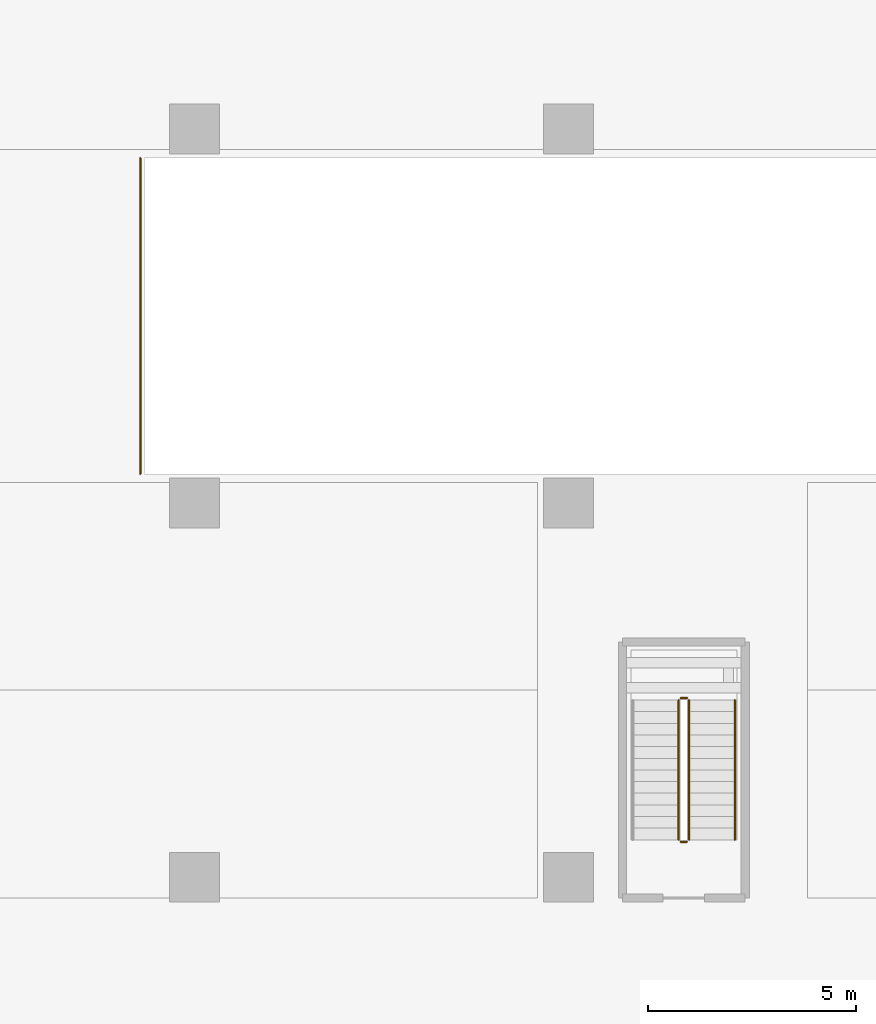
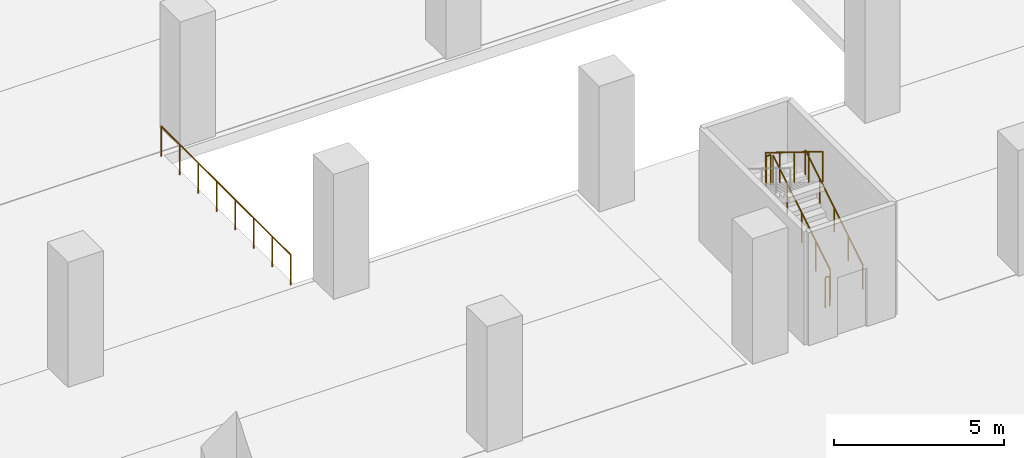
# One storey, part 28 of 34: 6 railings.
"""IFC4 building model written with IfcOpenShell, lengths in metres."""

from ifc_helpers import new_model, si_unit, direction, frame, origin, origin_2d, place, context, subcontext, project, spatial, circle, extrude, material, type_object, element, save


model = new_model("IFC4")

# Units and contexts
model_context = context("Model", 3, precision=1e-05, world=origin(), true_north=direction((0.0, 1.0)))
body_context = subcontext(model_context, "Body", "Model", "MODEL_VIEW")
ifc_project = project(units=[si_unit("LENGTHUNIT", "METRE"), si_unit("AREAUNIT", "SQUARE_METRE"), si_unit("VOLUMEUNIT", "CUBIC_METRE"), si_unit("PLANEANGLEUNIT", "RADIAN"), si_unit("MASSUNIT", "GRAM", prefix="KILO")], contexts=[model_context])

# Site, building, storey
site_placement = place(None, origin())
site = spatial("IfcSite", under=ifc_project, at=site_placement, CompositionType="ELEMENT")
building_placement = place(site_placement, origin())
building = spatial("IfcBuilding", under=site, at=building_placement, Name="Ogive Gate Towers", CompositionType="ELEMENT")
storey_placement = place(building_placement, frame((0.0, 0.0, -4.5)))
storey = spatial("IfcBuildingStorey", under=building, at=storey_placement, Name="B1", CompositionType="ELEMENT", Elevation=-4.5)

# Railings
ifc_material_1 = material(Name="Painted steel", Category="steel")
railing_type_1 = type_object("IfcRailingType", Name="Car park guard 1100", PredefinedType="GUARDRAIL", material=ifc_material_1)
railing_1_placement = place(storey_placement, frame((79.699951171875, -53.300048828125, 0.0)))
element("IfcRailing", 1, at=railing_1_placement, inside=storey, type_object=railing_type_1, Name="Ramp opening guard 04", PredefinedType="GUARDRAIL", context=body_context, shape_type="SweptSolid", body=[
    extrude(circle(Radius=0.02392578125, at=origin_2d()), frame((0.0, 0.0, 1.076171875), z_axis=(0.0, 1.0, 0.0), x_axis=(-1.0, 0.0, 0.0)), (0.0, 0.0, 1.0), 7.60009765625),
    extrude(circle(Radius=0.02099609375, at=origin_2d()), origin(), (0.0, 0.0, 1.0), 1.052001953125),
    extrude(circle(Radius=0.02099609375, at=origin_2d()), frame((0.0, 1.085693359375, 0.0)), (0.0, 0.0, 1.0), 1.052001953125),
    extrude(circle(Radius=0.02099609375, at=origin_2d()), frame((0.0, 2.17138671875, 0.0)), (0.0, 0.0, 1.0), 1.052001953125),
    extrude(circle(Radius=0.02099609375, at=origin_2d()), frame((0.0, 3.257080078125, 0.0)), (0.0, 0.0, 1.0), 1.052001953125),
    extrude(circle(Radius=0.02099609375, at=origin_2d()), frame((0.0, 4.343017578125, 0.0)), (0.0, 0.0, 1.0), 1.052001953125),
    extrude(circle(Radius=0.02099609375, at=origin_2d()), frame((0.0, 5.4287109375, 0.0)), (0.0, 0.0, 1.0), 1.052001953125),
    extrude(circle(Radius=0.02099609375, at=origin_2d()), frame((0.0, 6.514404296875, 0.0)), (0.0, 0.0, 1.0), 1.052001953125),
    extrude(circle(Radius=0.02099609375, at=origin_2d()), frame((0.0, 7.60009765625, 0.0)), (0.0, 0.0, 1.0), 1.052001953125),
])
railing_type_2 = type_object("IfcRailingType", Name="Car park stair guard 1100", PredefinedType="GUARDRAIL", material=ifc_material_1)
railing_2_placement = place(storey_placement, frame((92.89990234375, -62.10009765625, 0.173095703125)))
element("IfcRailing", 2, at=railing_2_placement, inside=storey, type_object=railing_type_2, Name="B1 CS8 stair guard 1", PredefinedType="GUARDRAIL", context=body_context, shape_type="SweptSolid", body=[
    extrude(circle(Radius=0.02392578125, at=origin_2d()), frame((0.0, 0.0, 1.076171875), z_axis=(0.0, 0.850623216509, 0.525775754039), x_axis=(-1.0, 0.0, 0.0)), (0.0, 0.0, 1.0), 3.9501953125),
    extrude(circle(Radius=0.02099609375, at=origin_2d()), origin(), (0.0, 0.0, 1.0), 1.052001953125),
    extrude(circle(Radius=0.02099609375, at=origin_2d()), frame((0.0, 0.840087890625, 0.519287109375)), (0.0, 0.0, 1.0), 1.052001953125),
    extrude(circle(Radius=0.02099609375, at=origin_2d()), frame((0.0, 1.68017578125, 1.03857421875)), (0.0, 0.0, 1.0), 1.052001953125),
    extrude(circle(Radius=0.02099609375, at=origin_2d()), frame((0.0, 2.52001953125, 1.5576171875)), (0.0, 0.0, 1.0), 1.052001953125),
    extrude(circle(Radius=0.02099609375, at=origin_2d()), frame((0.0, 3.360107421875, 2.076904296875)), (0.0, 0.0, 1.0), 1.052001953125),
])
railing_3_placement = place(storey_placement, frame((92.85009765625, -58.68994140625, 2.25)))
element("IfcRailing", 3, at=railing_3_placement, inside=storey, type_object=railing_type_2, Name="B1 CS8 stair guard 2", PredefinedType="GUARDRAIL", context=body_context, shape_type="SweptSolid", body=[
    extrude(circle(Radius=0.02392578125, at=origin_2d()), frame((0.0, 0.0, 1.076171875), z_axis=(-1.0, 0.0, 0.0), x_axis=(0.0, -1.0, 0.0)), (0.0, 0.0, 1.0), 0.150146484375),
    extrude(circle(Radius=0.02099609375, at=origin_2d()), origin(), (0.0, 0.0, 1.0), 1.052001953125),
    extrude(circle(Radius=0.02099609375, at=origin_2d()), frame((-0.150146484375, 0.0, 0.0)), (0.0, 0.0, 1.0), 1.052001953125),
])
railing_4_placement = place(storey_placement, frame((92.64990234375, -58.739990234375, 2.423095703125)))
element("IfcRailing", 4, at=railing_4_placement, inside=storey, type_object=railing_type_2, Name="B1 CS8 stair guard 3", PredefinedType="GUARDRAIL", context=body_context, shape_type="SweptSolid", body=[
    extrude(circle(Radius=0.02392578125, at=origin_2d()), frame((0.0, 0.0, 1.076171875), z_axis=(0.0, -0.850623216509, 0.525775754039), x_axis=(1.0, 0.0, 0.0)), (0.0, 0.0, 1.0), 3.9501953125),
    extrude(circle(Radius=0.02099609375, at=origin_2d()), origin(), (0.0, 0.0, 1.0), 1.052001953125),
    extrude(circle(Radius=0.02099609375, at=origin_2d()), frame((0.0, -0.840087890625, 0.519287109375)), (0.0, 0.0, 1.0), 1.052001953125),
    extrude(circle(Radius=0.02099609375, at=origin_2d()), frame((0.0, -1.68017578125, 1.03857421875)), (0.0, 0.0, 1.0), 1.052001953125),
    extrude(circle(Radius=0.02099609375, at=origin_2d()), frame((0.0, -2.52001953125, 1.5576171875)), (0.0, 0.0, 1.0), 1.052001953125),
    extrude(circle(Radius=0.02099609375, at=origin_2d()), frame((0.0, -3.360107421875, 2.076904296875)), (0.0, 0.0, 1.0), 1.052001953125),
])
railing_5_placement = place(storey_placement, frame((92.85009765625, -62.14990234375, 0.0)))
element("IfcRailing", 5, at=railing_5_placement, inside=storey, type_object=railing_type_2, Name="B1 CS8 stair guard 4", PredefinedType="GUARDRAIL", context=body_context, shape_type="SweptSolid", body=[
    extrude(circle(Radius=0.02392578125, at=origin_2d()), frame((0.0, 0.0, 1.076171875), z_axis=(-1.0, 0.0, 0.0), x_axis=(0.0, -1.0, 0.0)), (0.0, 0.0, 1.0), 0.150146484375),
    extrude(circle(Radius=0.02099609375, at=origin_2d()), origin(), (0.0, 0.0, 1.0), 1.052001953125),
    extrude(circle(Radius=0.02099609375, at=origin_2d()), frame((-0.150146484375, 0.0, 0.0)), (0.0, 0.0, 1.0), 1.052001953125),
])
ifc_material_2 = material(Name="Stainless steel handrail", Category="steel")
railing_type_3 = type_object("IfcRailingType", Name="Car park stair handrail 900", PredefinedType="HANDRAIL", material=ifc_material_2)
railing_6_placement = place(storey_placement, frame((94.0, -62.10009765625, 0.173095703125)))
element("IfcRailing", 6, at=railing_6_placement, inside=storey, type_object=railing_type_3, Name="B1 CS8 stair handrail 1", PredefinedType="HANDRAIL", context=body_context, shape_type="SweptSolid", body=[
    extrude(circle(Radius=0.02392578125, at=origin_2d()), frame((0.0, 0.0, 0.8759765625), z_axis=(0.0, 0.850623216509, 0.525775754039), x_axis=(-1.0, 0.0, 0.0)), (0.0, 0.0, 1.0), 3.9501953125),
    extrude(circle(Radius=0.02099609375, at=origin_2d()), origin(), (0.0, 0.0, 1.0), 0.851806640625),
    extrude(circle(Radius=0.02099609375, at=origin_2d()), frame((0.0, 0.840087890625, 0.519287109375)), (0.0, 0.0, 1.0), 0.851806640625),
    extrude(circle(Radius=0.02099609375, at=origin_2d()), frame((0.0, 1.68017578125, 1.03857421875)), (0.0, 0.0, 1.0), 0.851806640625),
    extrude(circle(Radius=0.02099609375, at=origin_2d()), frame((0.0, 2.52001953125, 1.5576171875)), (0.0, 0.0, 1.0), 0.851806640625),
    extrude(circle(Radius=0.02099609375, at=origin_2d()), frame((0.0, 3.360107421875, 2.076904296875)), (0.0, 0.0, 1.0), 0.851806640625),
])

save(model, "model.ifc")
